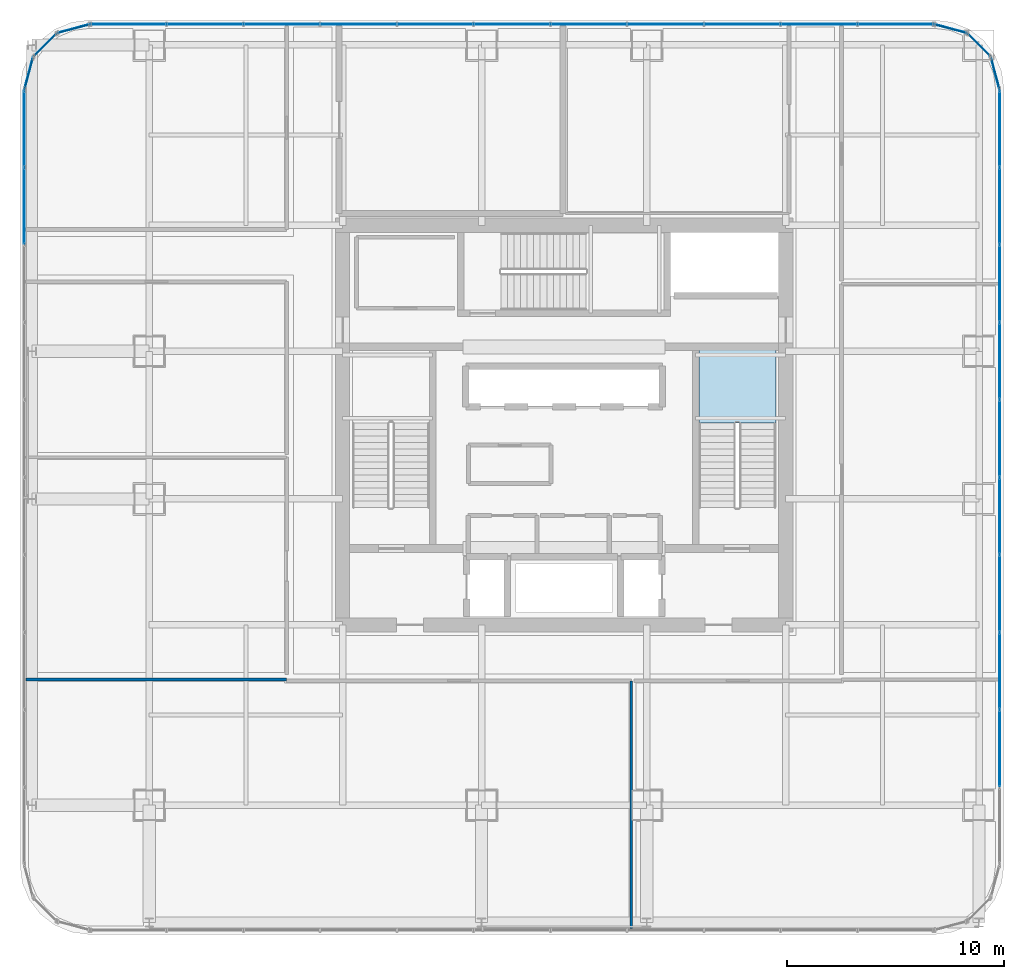
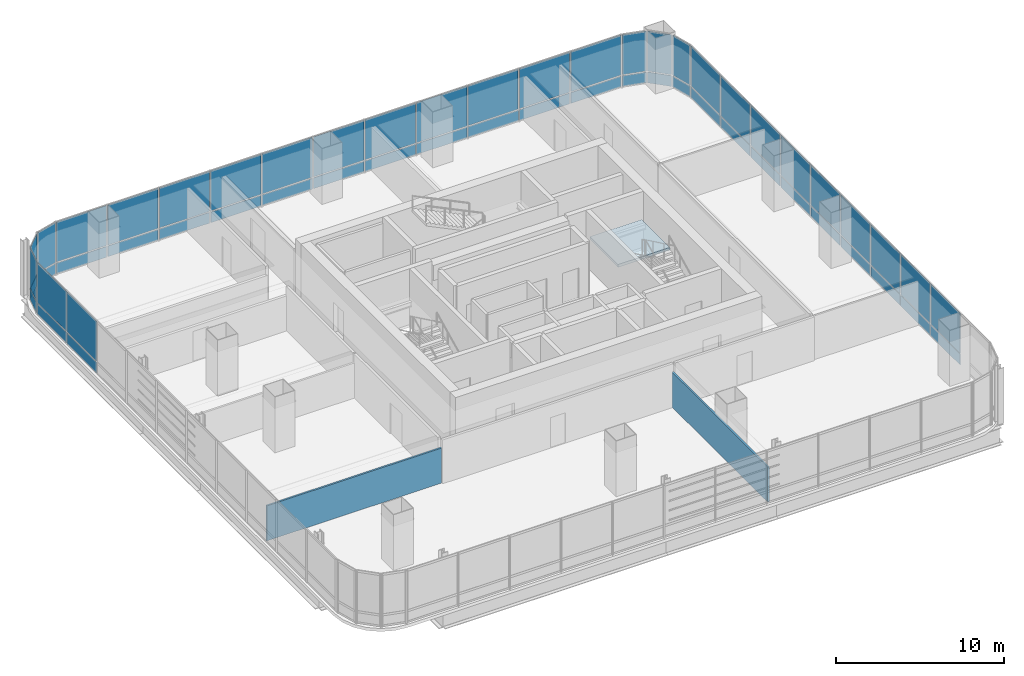
# One storey, part 28 of 36: 56 plates, 2 walls, 1 slab, 10 elements without a shape of their own.
"""IFC4 building model written with IfcOpenShell, lengths in metres."""

from ifc_helpers import new_model, si_unit, direction, frame, frame_2d, origin, origin_2d, place, context, subcontext, project, spatial, polyline, rectangle, outline, extrude, material, layer, layer_set, type_object, element, aggregate, save


model = new_model("IFC4")

# Units and contexts
model_context = context("Model", 3, precision=1e-05, world=origin(), true_north=direction((0.0, 1.0)))
body_context = subcontext(model_context, "Body", "Model", "MODEL_VIEW")
ifc_project = project(units=[si_unit("LENGTHUNIT", "METRE"), si_unit("AREAUNIT", "SQUARE_METRE"), si_unit("VOLUMEUNIT", "CUBIC_METRE"), si_unit("PLANEANGLEUNIT", "RADIAN"), si_unit("MASSUNIT", "GRAM", prefix="KILO")], contexts=[model_context])

# Site, building, storey
site_placement = place(None, origin())
site = spatial("IfcSite", under=ifc_project, at=site_placement, CompositionType="ELEMENT")
building_placement = place(site_placement, origin())
building = spatial("IfcBuilding", under=site, at=building_placement, Name="Punatoya Terracotta Tower", CompositionType="ELEMENT")
storey_placement = place(building_placement, frame((0.0, 0.0, 184.35009765625)))
storey = spatial("IfcBuildingStorey", under=building, at=storey_placement, Name="L43", CompositionType="ELEMENT", Elevation=184.35009765625)

# Curtain wall, plates
ifc_material_1 = material(Name="Aluminium 6063-T6 + Double Low-E Glass", Category="aluminium")
curtain_wall_type = type_object("IfcCurtainWallType", Name="CW-M2", PredefinedType="NOTDEFINED", material=ifc_material_1)
curtain_wall_1_placement = place(storey_placement, origin())
curtain_wall_1 = element("IfcCurtainWall", 1, at=curtain_wall_1_placement, inside=storey, type_object=curtain_wall_type, Name="L43 Curtain Wall CW-L43-E05-1", PredefinedType="NOTDEFINED")
ifc_material_2 = material(Name="Double Low-E Acoustic Vision Glass", Category="glass")
ifc_layer_1 = layer(ifc_material_2, 0.031982421875)
ifc_layer_set_1 = layer_set([ifc_layer_1], Name="Double Low-E Acoustic Vision Glass")
plate_type_1 = type_object("IfcPlateType", Name="PLT-GLZ-32", PredefinedType="CURTAIN_PANEL", material=ifc_layer_set_1)
plate_1_placement = place(storey_placement, frame((20.050048828125, -14.8857421875, 0.889892578125), z_axis=(0.0, 0.0, 1.0), x_axis=(0.0, 1.0, 0.0)))
plate_1 = element("IfcPlate", 2, at=plate_1_placement, type_object=plate_type_1, Name="CW-L43-E05-1 Vision Glass Panel 2", PredefinedType="CURTAIN_PANEL", context=body_context, shape_type="SweptSolid", body=[
    extrude(rectangle(XDim=3.482421875, YDim=0.031982421875, at=origin_2d()), origin(), (0.0, 0.0, 1.0), 2.89990234375),
])
plate_2_placement = place(storey_placement, frame((20.050048828125, -11.318359375, 0.889892578125), z_axis=(0.0, 0.0, 1.0), x_axis=(0.0, 1.0, 0.0)))
plate_2 = element("IfcPlate", 3, at=plate_2_placement, type_object=plate_type_1, Name="CW-L43-E05-1 Vision Glass Panel 3", PredefinedType="CURTAIN_PANEL", context=body_context, shape_type="SweptSolid", body=[
    extrude(rectangle(XDim=3.482421875, YDim=0.031982421875, at=origin_2d()), origin(), (0.0, 0.0, 1.0), 2.89990234375),
])
plate_3_placement = place(storey_placement, frame((20.050048828125, -7.751220703125, 0.889892578125), z_axis=(0.0, 0.0, 1.0), x_axis=(0.0, 1.0, 0.0)))
plate_3 = element("IfcPlate", 4, at=plate_3_placement, type_object=plate_type_1, Name="CW-L43-E05-1 Vision Glass Panel 4", PredefinedType="CURTAIN_PANEL", context=body_context, shape_type="SweptSolid", body=[
    extrude(rectangle(XDim=3.482421875, YDim=0.031982421875, at=origin_2d()), origin(), (0.0, 0.0, 1.0), 2.89990234375),
])
plate_4_placement = place(storey_placement, frame((20.050048828125, -4.18359375, 0.889892578125), z_axis=(0.0, 0.0, 1.0), x_axis=(0.0, 1.0, 0.0)))
plate_4 = element("IfcPlate", 5, at=plate_4_placement, type_object=plate_type_1, Name="CW-L43-E05-1 Vision Glass Panel 5", PredefinedType="CURTAIN_PANEL", context=body_context, shape_type="SweptSolid", body=[
    extrude(rectangle(XDim=3.482421875, YDim=0.031982421875, at=origin_2d()), origin(), (0.0, 0.0, 1.0), 2.89990234375),
])
plate_5_placement = place(storey_placement, frame((20.050048828125, -0.6162109375, 0.889892578125), z_axis=(0.0, 0.0, 1.0), x_axis=(0.0, 1.0, 0.0)))
plate_5 = element("IfcPlate", 6, at=plate_5_placement, type_object=plate_type_1, Name="CW-L43-E05-1 Vision Glass Panel 6", PredefinedType="CURTAIN_PANEL", context=body_context, shape_type="SweptSolid", body=[
    extrude(rectangle(XDim=3.482421875, YDim=0.031982421875, at=origin_2d()), origin(), (0.0, 0.0, 1.0), 2.89990234375),
])
plate_6_placement = place(storey_placement, frame((20.050048828125, 2.951171875, 0.889892578125), z_axis=(0.0, 0.0, 1.0), x_axis=(0.0, 1.0, 0.0)))
plate_6 = element("IfcPlate", 7, at=plate_6_placement, type_object=plate_type_1, Name="CW-L43-E05-1 Vision Glass Panel 7", PredefinedType="CURTAIN_PANEL", context=body_context, shape_type="SweptSolid", body=[
    extrude(rectangle(XDim=3.482421875, YDim=0.031982421875, at=origin_2d()), origin(), (0.0, 0.0, 1.0), 2.89990234375),
])
plate_7_placement = place(storey_placement, frame((20.050048828125, 6.518310546875, 0.889892578125), z_axis=(0.0, 0.0, 1.0), x_axis=(0.0, 1.0, 0.0)))
plate_7 = element("IfcPlate", 8, at=plate_7_placement, type_object=plate_type_1, Name="CW-L43-E05-1 Vision Glass Panel 8", PredefinedType="CURTAIN_PANEL", context=body_context, shape_type="SweptSolid", body=[
    extrude(rectangle(XDim=3.482421875, YDim=0.031982421875, at=origin_2d()), origin(), (0.0, 0.0, 1.0), 2.89990234375),
])
plate_8_placement = place(storey_placement, frame((20.050048828125, 10.085693359375, 0.889892578125), z_axis=(0.0, 0.0, 1.0), x_axis=(0.0, 1.0, 0.0)))
plate_8 = element("IfcPlate", 9, at=plate_8_placement, type_object=plate_type_1, Name="CW-L43-E05-1 Vision Glass Panel 9", PredefinedType="CURTAIN_PANEL", context=body_context, shape_type="SweptSolid", body=[
    extrude(rectangle(XDim=3.482421875, YDim=0.031982421875, at=origin_2d()), origin(), (0.0, 0.0, 1.0), 2.89990234375),
])
plate_9_placement = place(storey_placement, frame((20.050048828125, 13.6533203125, 0.889892578125), z_axis=(0.0, 0.0, 1.0), x_axis=(0.0, 1.0, 0.0)))
plate_9 = element("IfcPlate", 10, at=plate_9_placement, type_object=plate_type_1, Name="CW-L43-E05-1 Vision Glass Panel 10", PredefinedType="CURTAIN_PANEL", context=body_context, shape_type="SweptSolid", body=[
    extrude(rectangle(XDim=3.482421875, YDim=0.031982421875, at=origin_2d()), origin(), (0.0, 0.0, 1.0), 2.89990234375),
])

# Curtain wall, plate
curtain_wall_2_placement = place(storey_placement, origin())
curtain_wall_2 = element("IfcCurtainWall", 11, at=curtain_wall_2_placement, inside=storey, type_object=curtain_wall_type, Name="L43 Curtain Wall CW-L43-CRN06", PredefinedType="NOTDEFINED")
plate_10_placement = place(storey_placement, frame((19.848388671875, 16.193115234375, 0.889892578125), z_axis=(0.0, 0.0, 1.0), x_axis=(-0.257741620719, 0.966213877436, 0.0)))
plate_10 = element("IfcPlate", 12, at=plate_10_placement, type_object=plate_type_1, Name="CW-L43-CRN06 Vision Glass Panel 1", PredefinedType="CURTAIN_PANEL", context=body_context, shape_type="SweptSolid", body=[
    extrude(rectangle(XDim=1.47998046875, YDim=0.031982421875, at=origin_2d()), origin(), (0.0, 0.0, 1.0), 2.89990234375),
])

curtain_wall_3_placement = place(storey_placement, origin())
curtain_wall_3 = element("IfcCurtainWall", 13, at=curtain_wall_3_placement, inside=storey, type_object=curtain_wall_type, Name="L43 Curtain Wall CW-L43-CRN07", PredefinedType="NOTDEFINED")
plate_11_placement = place(storey_placement, frame((19.097900390625, 17.497802734375, 0.889892578125), z_axis=(0.0, 0.0, 1.0), x_axis=(-0.707106781187, 0.707106781187, 0.0)))
plate_11 = element("IfcPlate", 14, at=plate_11_placement, type_object=plate_type_1, Name="CW-L43-CRN07 Vision Glass Panel 1", PredefinedType="CURTAIN_PANEL", context=body_context, shape_type="SweptSolid", body=[
    extrude(rectangle(XDim=1.467041015625, YDim=0.031982421875, at=origin_2d()), origin(), (0.0, 0.0, 1.0), 2.89990234375),
])

curtain_wall_4_placement = place(storey_placement, origin())
curtain_wall_4 = element("IfcCurtainWall", 15, at=curtain_wall_4_placement, inside=storey, type_object=curtain_wall_type, Name="L43 Curtain Wall CW-L43-CRN08", PredefinedType="NOTDEFINED")
plate_12_placement = place(storey_placement, frame((17.79296875, 18.248291015625, 0.889892578125), z_axis=(0.0, 0.0, 1.0), x_axis=(-0.966213877436, 0.257741620719, 0.0)))
plate_12 = element("IfcPlate", 16, at=plate_12_placement, type_object=plate_type_1, Name="CW-L43-CRN08 Vision Glass Panel 1", PredefinedType="CURTAIN_PANEL", context=body_context, shape_type="SweptSolid", body=[
    extrude(rectangle(XDim=1.47998046875, YDim=0.031982421875, at=origin_2d()), origin(), (0.0, 0.0, 1.0), 2.89990234375),
])

# Curtain wall, plates
curtain_wall_5_placement = place(storey_placement, origin())
curtain_wall_5 = element("IfcCurtainWall", 17, at=curtain_wall_5_placement, inside=storey, type_object=curtain_wall_type, Name="L43 Curtain Wall CW-L43-N09-1", PredefinedType="NOTDEFINED")
plate_13_placement = place(storey_placement, frame((15.27001953125, 18.449951171875, 0.889892578125), z_axis=(0.0, 0.0, 1.0), x_axis=(-1.0, 0.0, 0.0)))
plate_13 = element("IfcPlate", 18, at=plate_13_placement, type_object=plate_type_1, Name="CW-L43-N09-1 Vision Glass Panel 1", PredefinedType="CURTAIN_PANEL", context=body_context, shape_type="SweptSolid", body=[
    extrude(rectangle(XDim=3.448974609375, YDim=0.031982421875, at=origin_2d()), origin(), (0.0, 0.0, 1.0), 2.89990234375),
])
plate_14_placement = place(storey_placement, frame((11.73583984375, 18.449951171875, 0.889892578125), z_axis=(0.0, 0.0, 1.0), x_axis=(-1.0, 0.0, 0.0)))
plate_14 = element("IfcPlate", 19, at=plate_14_placement, type_object=plate_type_1, Name="CW-L43-N09-1 Vision Glass Panel 2", PredefinedType="CURTAIN_PANEL", context=body_context, shape_type="SweptSolid", body=[
    extrude(rectangle(XDim=3.448974609375, YDim=0.031982421875, at=origin_2d()), origin(), (0.0, 0.0, 1.0), 2.89990234375),
])
plate_15_placement = place(storey_placement, frame((8.201904296875, 18.449951171875, 0.889892578125), z_axis=(0.0, 0.0, 1.0), x_axis=(-1.0, 0.0, 0.0)))
plate_15 = element("IfcPlate", 20, at=plate_15_placement, type_object=plate_type_1, Name="CW-L43-N09-1 Vision Glass Panel 3", PredefinedType="CURTAIN_PANEL", context=body_context, shape_type="SweptSolid", body=[
    extrude(rectangle(XDim=3.448974609375, YDim=0.031982421875, at=origin_2d()), origin(), (0.0, 0.0, 1.0), 2.89990234375),
])
plate_16_placement = place(storey_placement, frame((4.66796875, 18.449951171875, 0.889892578125), z_axis=(0.0, 0.0, 1.0), x_axis=(-1.0, 0.0, 0.0)))
plate_16 = element("IfcPlate", 21, at=plate_16_placement, type_object=plate_type_1, Name="CW-L43-N09-1 Vision Glass Panel 4", PredefinedType="CURTAIN_PANEL", context=body_context, shape_type="SweptSolid", body=[
    extrude(rectangle(XDim=3.448974609375, YDim=0.031982421875, at=origin_2d()), origin(), (0.0, 0.0, 1.0), 2.89990234375),
])
plate_17_placement = place(storey_placement, frame((1.134033203125, 18.449951171875, 0.889892578125), z_axis=(0.0, 0.0, 1.0), x_axis=(-1.0, 0.0, 0.0)))
plate_17 = element("IfcPlate", 22, at=plate_17_placement, type_object=plate_type_1, Name="CW-L43-N09-1 Vision Glass Panel 5", PredefinedType="CURTAIN_PANEL", context=body_context, shape_type="SweptSolid", body=[
    extrude(rectangle(XDim=3.448974609375, YDim=0.031982421875, at=origin_2d()), origin(), (0.0, 0.0, 1.0), 2.89990234375),
])
plate_18_placement = place(storey_placement, frame((-2.39990234375, 18.449951171875, 0.889892578125), z_axis=(0.0, 0.0, 1.0), x_axis=(-1.0, 0.0, 0.0)))
plate_18 = element("IfcPlate", 23, at=plate_18_placement, type_object=plate_type_1, Name="CW-L43-N09-1 Vision Glass Panel 6", PredefinedType="CURTAIN_PANEL", context=body_context, shape_type="SweptSolid", body=[
    extrude(rectangle(XDim=3.448974609375, YDim=0.031982421875, at=origin_2d()), origin(), (0.0, 0.0, 1.0), 2.89990234375),
])
plate_19_placement = place(storey_placement, frame((-5.93408203125, 18.449951171875, 0.889892578125), z_axis=(0.0, 0.0, 1.0), x_axis=(-1.0, 0.0, 0.0)))
plate_19 = element("IfcPlate", 24, at=plate_19_placement, type_object=plate_type_1, Name="CW-L43-N09-1 Vision Glass Panel 7", PredefinedType="CURTAIN_PANEL", context=body_context, shape_type="SweptSolid", body=[
    extrude(rectangle(XDim=3.448974609375, YDim=0.031982421875, at=origin_2d()), origin(), (0.0, 0.0, 1.0), 2.89990234375),
])
plate_20_placement = place(storey_placement, frame((-9.468017578125, 18.449951171875, 0.889892578125), z_axis=(0.0, 0.0, 1.0), x_axis=(-1.0, 0.0, 0.0)))
plate_20 = element("IfcPlate", 25, at=plate_20_placement, type_object=plate_type_1, Name="CW-L43-N09-1 Vision Glass Panel 8", PredefinedType="CURTAIN_PANEL", context=body_context, shape_type="SweptSolid", body=[
    extrude(rectangle(XDim=3.448974609375, YDim=0.031982421875, at=origin_2d()), origin(), (0.0, 0.0, 1.0), 2.89990234375),
])
plate_21_placement = place(storey_placement, frame((-13.001953125, 18.449951171875, 0.889892578125), z_axis=(0.0, 0.0, 1.0), x_axis=(-1.0, 0.0, 0.0)))
plate_21 = element("IfcPlate", 26, at=plate_21_placement, type_object=plate_type_1, Name="CW-L43-N09-1 Vision Glass Panel 9", PredefinedType="CURTAIN_PANEL", context=body_context, shape_type="SweptSolid", body=[
    extrude(rectangle(XDim=3.448974609375, YDim=0.031982421875, at=origin_2d()), origin(), (0.0, 0.0, 1.0), 2.89990234375),
])
plate_22_placement = place(storey_placement, frame((-16.535888671875, 18.449951171875, 0.889892578125), z_axis=(0.0, 0.0, 1.0), x_axis=(-1.0, 0.0, 0.0)))
plate_22 = element("IfcPlate", 27, at=plate_22_placement, type_object=plate_type_1, Name="CW-L43-N09-1 Vision Glass Panel 10", PredefinedType="CURTAIN_PANEL", context=body_context, shape_type="SweptSolid", body=[
    extrude(rectangle(XDim=3.448974609375, YDim=0.031982421875, at=origin_2d()), origin(), (0.0, 0.0, 1.0), 2.89990234375),
])
plate_23_placement = place(storey_placement, frame((-20.06982421875, 18.449951171875, 0.889892578125), z_axis=(0.0, 0.0, 1.0), x_axis=(-1.0, 0.0, 0.0)))
plate_23 = element("IfcPlate", 28, at=plate_23_placement, type_object=plate_type_1, Name="CW-L43-N09-1 Vision Glass Panel 11", PredefinedType="CURTAIN_PANEL", context=body_context, shape_type="SweptSolid", body=[
    extrude(rectangle(XDim=3.448974609375, YDim=0.031982421875, at=origin_2d()), origin(), (0.0, 0.0, 1.0), 2.89990234375),
])

# Curtain wall, plate
curtain_wall_6_placement = place(storey_placement, origin())
curtain_wall_6 = element("IfcCurtainWall", 29, at=curtain_wall_6_placement, inside=storey, type_object=curtain_wall_type, Name="L43 Curtain Wall CW-L43-CRN10", PredefinedType="NOTDEFINED")
plate_24_placement = place(storey_placement, frame((-22.593017578125, 18.248291015625, 0.889892578125), z_axis=(0.0, 0.0, 1.0), x_axis=(-0.966213877436, -0.257741620719, 0.0)))
plate_24 = element("IfcPlate", 30, at=plate_24_placement, type_object=plate_type_1, Name="CW-L43-CRN10 Vision Glass Panel 1", PredefinedType="CURTAIN_PANEL", context=body_context, shape_type="SweptSolid", body=[
    extrude(rectangle(XDim=1.47998046875, YDim=0.031982421875, at=origin_2d()), origin(), (0.0, 0.0, 1.0), 2.89990234375),
])

curtain_wall_7_placement = place(storey_placement, origin())
curtain_wall_7 = element("IfcCurtainWall", 31, at=curtain_wall_7_placement, inside=storey, type_object=curtain_wall_type, Name="L43 Curtain Wall CW-L43-CRN11", PredefinedType="NOTDEFINED")
plate_25_placement = place(storey_placement, frame((-23.89794921875, 17.497802734375, 0.889892578125), z_axis=(0.0, 0.0, 1.0), x_axis=(-0.707106781187, -0.707106781187, 0.0)))
plate_25 = element("IfcPlate", 32, at=plate_25_placement, type_object=plate_type_1, Name="CW-L43-CRN11 Vision Glass Panel 1", PredefinedType="CURTAIN_PANEL", context=body_context, shape_type="SweptSolid", body=[
    extrude(rectangle(XDim=1.467041015625, YDim=0.031982421875, at=origin_2d()), origin(), (0.0, 0.0, 1.0), 2.89990234375),
])

curtain_wall_8_placement = place(storey_placement, origin())
curtain_wall_8 = element("IfcCurtainWall", 33, at=curtain_wall_8_placement, inside=storey, type_object=curtain_wall_type, Name="L43 Curtain Wall CW-L43-CRN12", PredefinedType="NOTDEFINED")
plate_26_placement = place(storey_placement, frame((-24.648193359375, 16.193115234375, 0.889892578125), z_axis=(0.0, 0.0, 1.0), x_axis=(-0.257741620719, -0.966213877436, 0.0)))
plate_26 = element("IfcPlate", 34, at=plate_26_placement, type_object=plate_type_1, Name="CW-L43-CRN12 Vision Glass Panel 1", PredefinedType="CURTAIN_PANEL", context=body_context, shape_type="SweptSolid", body=[
    extrude(rectangle(XDim=1.47998046875, YDim=0.031982421875, at=origin_2d()), origin(), (0.0, 0.0, 1.0), 2.89990234375),
])

# Curtain wall, plates
curtain_wall_9_placement = place(storey_placement, origin())
curtain_wall_9 = element("IfcCurtainWall", 35, at=curtain_wall_9_placement, inside=storey, type_object=curtain_wall_type, Name="L43 Curtain Wall CW-L43-W13-1", PredefinedType="NOTDEFINED")
plate_27_placement = place(storey_placement, frame((-24.85009765625, 13.6533203125, 0.889892578125), z_axis=(0.0, 0.0, 1.0), x_axis=(0.0, -1.0, 0.0)))
plate_27 = element("IfcPlate", 36, at=plate_27_placement, type_object=plate_type_1, Name="CW-L43-W13-1 Vision Glass Panel 1", PredefinedType="CURTAIN_PANEL", context=body_context, shape_type="SweptSolid", body=[
    extrude(rectangle(XDim=3.482421875, YDim=0.031982421875, at=origin_2d()), origin(), (0.0, 0.0, 1.0), 2.89990234375),
])
plate_28_placement = place(storey_placement, frame((-24.85009765625, 10.085693359375, 0.889892578125), z_axis=(0.0, 0.0, 1.0), x_axis=(0.0, -1.0, 0.0)))
plate_28 = element("IfcPlate", 37, at=plate_28_placement, type_object=plate_type_1, Name="CW-L43-W13-1 Vision Glass Panel 2", PredefinedType="CURTAIN_PANEL", context=body_context, shape_type="SweptSolid", body=[
    extrude(rectangle(XDim=3.482421875, YDim=0.031982421875, at=origin_2d()), origin(), (0.0, 0.0, 1.0), 2.89990234375),
])

# Plate
ifc_material_3 = material(Name="Insulated Terracotta-Backed Spandrel Panel", Category="masonry")
ifc_layer_2 = layer(ifc_material_3, 0.044921875)
ifc_layer_set_2 = layer_set([ifc_layer_2], Name="Insulated Terracotta-Backed Spandrel Panel")
plate_type_2 = type_object("IfcPlateType", Name="PLT-SPN-45", PredefinedType="CURTAIN_PANEL", material=ifc_layer_set_2)
plate_29_placement = place(storey_placement, frame((20.050048828125, -14.8857421875, 0.0400390625), z_axis=(0.0, 0.0, 1.0), x_axis=(0.0, 1.0, 0.0)))
plate_29 = element("IfcPlate", 38, at=plate_29_placement, type_object=plate_type_2, Name="CW-L43-E05-1 Terracotta Spandrel Panel 2", PredefinedType="CURTAIN_PANEL", context=body_context, shape_type="SweptSolid", body=[
    extrude(rectangle(XDim=3.482421875, YDim=0.044921875, at=origin_2d()), origin(), (0.0, 0.0, 1.0), 0.77490234375),
])

plate_30_placement = place(storey_placement, frame((20.050048828125, -11.318359375, 0.0400390625), z_axis=(0.0, 0.0, 1.0), x_axis=(0.0, 1.0, 0.0)))
plate_30 = element("IfcPlate", 39, at=plate_30_placement, type_object=plate_type_2, Name="CW-L43-E05-1 Terracotta Spandrel Panel 3", PredefinedType="CURTAIN_PANEL", context=body_context, shape_type="SweptSolid", body=[
    extrude(rectangle(XDim=3.482421875, YDim=0.044921875, at=origin_2d()), origin(), (0.0, 0.0, 1.0), 0.77490234375),
])

plate_31_placement = place(storey_placement, frame((20.050048828125, -7.751220703125, 0.0400390625), z_axis=(0.0, 0.0, 1.0), x_axis=(0.0, 1.0, 0.0)))
plate_31 = element("IfcPlate", 40, at=plate_31_placement, type_object=plate_type_2, Name="CW-L43-E05-1 Terracotta Spandrel Panel 4", PredefinedType="CURTAIN_PANEL", context=body_context, shape_type="SweptSolid", body=[
    extrude(rectangle(XDim=3.482421875, YDim=0.044921875, at=origin_2d()), origin(), (0.0, 0.0, 1.0), 0.77490234375),
])

plate_32_placement = place(storey_placement, frame((20.050048828125, -4.18359375, 0.0400390625), z_axis=(0.0, 0.0, 1.0), x_axis=(0.0, 1.0, 0.0)))
plate_32 = element("IfcPlate", 41, at=plate_32_placement, type_object=plate_type_2, Name="CW-L43-E05-1 Terracotta Spandrel Panel 5", PredefinedType="CURTAIN_PANEL", context=body_context, shape_type="SweptSolid", body=[
    extrude(rectangle(XDim=3.482421875, YDim=0.044921875, at=origin_2d()), origin(), (0.0, 0.0, 1.0), 0.77490234375),
])

plate_33_placement = place(storey_placement, frame((20.050048828125, -0.6162109375, 0.0400390625), z_axis=(0.0, 0.0, 1.0), x_axis=(0.0, 1.0, 0.0)))
plate_33 = element("IfcPlate", 42, at=plate_33_placement, type_object=plate_type_2, Name="CW-L43-E05-1 Terracotta Spandrel Panel 6", PredefinedType="CURTAIN_PANEL", context=body_context, shape_type="SweptSolid", body=[
    extrude(rectangle(XDim=3.482421875, YDim=0.044921875, at=origin_2d()), origin(), (0.0, 0.0, 1.0), 0.77490234375),
])

plate_34_placement = place(storey_placement, frame((20.050048828125, 2.951171875, 0.0400390625), z_axis=(0.0, 0.0, 1.0), x_axis=(0.0, 1.0, 0.0)))
plate_34 = element("IfcPlate", 43, at=plate_34_placement, type_object=plate_type_2, Name="CW-L43-E05-1 Terracotta Spandrel Panel 7", PredefinedType="CURTAIN_PANEL", context=body_context, shape_type="SweptSolid", body=[
    extrude(rectangle(XDim=3.482421875, YDim=0.044921875, at=origin_2d()), origin(), (0.0, 0.0, 1.0), 0.77490234375),
])

plate_35_placement = place(storey_placement, frame((20.050048828125, 6.518310546875, 0.0400390625), z_axis=(0.0, 0.0, 1.0), x_axis=(0.0, 1.0, 0.0)))
plate_35 = element("IfcPlate", 44, at=plate_35_placement, type_object=plate_type_2, Name="CW-L43-E05-1 Terracotta Spandrel Panel 8", PredefinedType="CURTAIN_PANEL", context=body_context, shape_type="SweptSolid", body=[
    extrude(rectangle(XDim=3.482421875, YDim=0.044921875, at=origin_2d()), origin(), (0.0, 0.0, 1.0), 0.77490234375),
])

plate_36_placement = place(storey_placement, frame((20.050048828125, 10.085693359375, 0.0400390625), z_axis=(0.0, 0.0, 1.0), x_axis=(0.0, 1.0, 0.0)))
plate_36 = element("IfcPlate", 45, at=plate_36_placement, type_object=plate_type_2, Name="CW-L43-E05-1 Terracotta Spandrel Panel 9", PredefinedType="CURTAIN_PANEL", context=body_context, shape_type="SweptSolid", body=[
    extrude(rectangle(XDim=3.482421875, YDim=0.044921875, at=origin_2d()), origin(), (0.0, 0.0, 1.0), 0.77490234375),
])

plate_37_placement = place(storey_placement, frame((20.050048828125, 13.6533203125, 0.0400390625), z_axis=(0.0, 0.0, 1.0), x_axis=(0.0, 1.0, 0.0)))
plate_37 = element("IfcPlate", 46, at=plate_37_placement, type_object=plate_type_2, Name="CW-L43-E05-1 Terracotta Spandrel Panel 10", PredefinedType="CURTAIN_PANEL", context=body_context, shape_type="SweptSolid", body=[
    extrude(rectangle(XDim=3.482421875, YDim=0.044921875, at=origin_2d()), origin(), (0.0, 0.0, 1.0), 0.77490234375),
])

aggregate(curtain_wall_1, [plate_29, plate_1, plate_30, plate_2, plate_31, plate_3, plate_32, plate_4, plate_33, plate_5, plate_34, plate_6, plate_35, plate_7, plate_36, plate_8, plate_37, plate_9])

plate_38_placement = place(storey_placement, frame((19.848388671875, 16.193115234375, 0.0400390625), z_axis=(0.0, 0.0, 1.0), x_axis=(-0.257741620719, 0.966213877436, 0.0)))
plate_38 = element("IfcPlate", 47, at=plate_38_placement, type_object=plate_type_2, Name="CW-L43-CRN06 Terracotta Spandrel Panel 1", PredefinedType="CURTAIN_PANEL", context=body_context, shape_type="SweptSolid", body=[
    extrude(rectangle(XDim=1.47998046875, YDim=0.044921875, at=origin_2d()), origin(), (0.0, 0.0, 1.0), 0.77490234375),
])

aggregate(curtain_wall_2, [plate_38, plate_10])

plate_39_placement = place(storey_placement, frame((19.097900390625, 17.497802734375, 0.0400390625), z_axis=(0.0, 0.0, 1.0), x_axis=(-0.707106781187, 0.707106781187, 0.0)))
plate_39 = element("IfcPlate", 48, at=plate_39_placement, type_object=plate_type_2, Name="CW-L43-CRN07 Terracotta Spandrel Panel 1", PredefinedType="CURTAIN_PANEL", context=body_context, shape_type="SweptSolid", body=[
    extrude(rectangle(XDim=1.467041015625, YDim=0.044921875, at=origin_2d()), origin(), (0.0, 0.0, 1.0), 0.77490234375),
])

aggregate(curtain_wall_3, [plate_39, plate_11])

plate_40_placement = place(storey_placement, frame((17.79296875, 18.248291015625, 0.0400390625), z_axis=(0.0, 0.0, 1.0), x_axis=(-0.966213877436, 0.257741620719, 0.0)))
plate_40 = element("IfcPlate", 49, at=plate_40_placement, type_object=plate_type_2, Name="CW-L43-CRN08 Terracotta Spandrel Panel 1", PredefinedType="CURTAIN_PANEL", context=body_context, shape_type="SweptSolid", body=[
    extrude(rectangle(XDim=1.47998046875, YDim=0.044921875, at=origin_2d()), origin(), (0.0, 0.0, 1.0), 0.77490234375),
])

aggregate(curtain_wall_4, [plate_40, plate_12])

plate_41_placement = place(storey_placement, frame((15.27001953125, 18.449951171875, 0.0400390625), z_axis=(0.0, 0.0, 1.0), x_axis=(-1.0, 0.0, 0.0)))
plate_41 = element("IfcPlate", 50, at=plate_41_placement, type_object=plate_type_2, Name="CW-L43-N09-1 Terracotta Spandrel Panel 1", PredefinedType="CURTAIN_PANEL", context=body_context, shape_type="SweptSolid", body=[
    extrude(rectangle(XDim=3.448974609375, YDim=0.044921875, at=origin_2d()), origin(), (0.0, 0.0, 1.0), 0.77490234375),
])

plate_42_placement = place(storey_placement, frame((11.73583984375, 18.449951171875, 0.0400390625), z_axis=(0.0, 0.0, 1.0), x_axis=(-1.0, 0.0, 0.0)))
plate_42 = element("IfcPlate", 51, at=plate_42_placement, type_object=plate_type_2, Name="CW-L43-N09-1 Terracotta Spandrel Panel 2", PredefinedType="CURTAIN_PANEL", context=body_context, shape_type="SweptSolid", body=[
    extrude(rectangle(XDim=3.448974609375, YDim=0.044921875, at=origin_2d()), origin(), (0.0, 0.0, 1.0), 0.77490234375),
])

plate_43_placement = place(storey_placement, frame((8.201904296875, 18.449951171875, 0.0400390625), z_axis=(0.0, 0.0, 1.0), x_axis=(-1.0, 0.0, 0.0)))
plate_43 = element("IfcPlate", 52, at=plate_43_placement, type_object=plate_type_2, Name="CW-L43-N09-1 Terracotta Spandrel Panel 3", PredefinedType="CURTAIN_PANEL", context=body_context, shape_type="SweptSolid", body=[
    extrude(rectangle(XDim=3.448974609375, YDim=0.044921875, at=origin_2d()), origin(), (0.0, 0.0, 1.0), 0.77490234375),
])

plate_44_placement = place(storey_placement, frame((4.66796875, 18.449951171875, 0.0400390625), z_axis=(0.0, 0.0, 1.0), x_axis=(-1.0, 0.0, 0.0)))
plate_44 = element("IfcPlate", 53, at=plate_44_placement, type_object=plate_type_2, Name="CW-L43-N09-1 Terracotta Spandrel Panel 4", PredefinedType="CURTAIN_PANEL", context=body_context, shape_type="SweptSolid", body=[
    extrude(rectangle(XDim=3.448974609375, YDim=0.044921875, at=origin_2d()), origin(), (0.0, 0.0, 1.0), 0.77490234375),
])

plate_45_placement = place(storey_placement, frame((1.134033203125, 18.449951171875, 0.0400390625), z_axis=(0.0, 0.0, 1.0), x_axis=(-1.0, 0.0, 0.0)))
plate_45 = element("IfcPlate", 54, at=plate_45_placement, type_object=plate_type_2, Name="CW-L43-N09-1 Terracotta Spandrel Panel 5", PredefinedType="CURTAIN_PANEL", context=body_context, shape_type="SweptSolid", body=[
    extrude(rectangle(XDim=3.448974609375, YDim=0.044921875, at=origin_2d()), origin(), (0.0, 0.0, 1.0), 0.77490234375),
])

plate_46_placement = place(storey_placement, frame((-2.39990234375, 18.449951171875, 0.0400390625), z_axis=(0.0, 0.0, 1.0), x_axis=(-1.0, 0.0, 0.0)))
plate_46 = element("IfcPlate", 55, at=plate_46_placement, type_object=plate_type_2, Name="CW-L43-N09-1 Terracotta Spandrel Panel 6", PredefinedType="CURTAIN_PANEL", context=body_context, shape_type="SweptSolid", body=[
    extrude(rectangle(XDim=3.448974609375, YDim=0.044921875, at=origin_2d()), origin(), (0.0, 0.0, 1.0), 0.77490234375),
])

plate_47_placement = place(storey_placement, frame((-5.93408203125, 18.449951171875, 0.0400390625), z_axis=(0.0, 0.0, 1.0), x_axis=(-1.0, 0.0, 0.0)))
plate_47 = element("IfcPlate", 56, at=plate_47_placement, type_object=plate_type_2, Name="CW-L43-N09-1 Terracotta Spandrel Panel 7", PredefinedType="CURTAIN_PANEL", context=body_context, shape_type="SweptSolid", body=[
    extrude(rectangle(XDim=3.448974609375, YDim=0.044921875, at=origin_2d()), origin(), (0.0, 0.0, 1.0), 0.77490234375),
])

plate_48_placement = place(storey_placement, frame((-9.468017578125, 18.449951171875, 0.0400390625), z_axis=(0.0, 0.0, 1.0), x_axis=(-1.0, 0.0, 0.0)))
plate_48 = element("IfcPlate", 57, at=plate_48_placement, type_object=plate_type_2, Name="CW-L43-N09-1 Terracotta Spandrel Panel 8", PredefinedType="CURTAIN_PANEL", context=body_context, shape_type="SweptSolid", body=[
    extrude(rectangle(XDim=3.448974609375, YDim=0.044921875, at=origin_2d()), origin(), (0.0, 0.0, 1.0), 0.77490234375),
])

plate_49_placement = place(storey_placement, frame((-13.001953125, 18.449951171875, 0.0400390625), z_axis=(0.0, 0.0, 1.0), x_axis=(-1.0, 0.0, 0.0)))
plate_49 = element("IfcPlate", 58, at=plate_49_placement, type_object=plate_type_2, Name="CW-L43-N09-1 Terracotta Spandrel Panel 9", PredefinedType="CURTAIN_PANEL", context=body_context, shape_type="SweptSolid", body=[
    extrude(rectangle(XDim=3.448974609375, YDim=0.044921875, at=origin_2d()), origin(), (0.0, 0.0, 1.0), 0.77490234375),
])

plate_50_placement = place(storey_placement, frame((-16.535888671875, 18.449951171875, 0.0400390625), z_axis=(0.0, 0.0, 1.0), x_axis=(-1.0, 0.0, 0.0)))
plate_50 = element("IfcPlate", 59, at=plate_50_placement, type_object=plate_type_2, Name="CW-L43-N09-1 Terracotta Spandrel Panel 10", PredefinedType="CURTAIN_PANEL", context=body_context, shape_type="SweptSolid", body=[
    extrude(rectangle(XDim=3.448974609375, YDim=0.044921875, at=origin_2d()), origin(), (0.0, 0.0, 1.0), 0.77490234375),
])

plate_51_placement = place(storey_placement, frame((-20.06982421875, 18.449951171875, 0.0400390625), z_axis=(0.0, 0.0, 1.0), x_axis=(-1.0, 0.0, 0.0)))
plate_51 = element("IfcPlate", 60, at=plate_51_placement, type_object=plate_type_2, Name="CW-L43-N09-1 Terracotta Spandrel Panel 11", PredefinedType="CURTAIN_PANEL", context=body_context, shape_type="SweptSolid", body=[
    extrude(rectangle(XDim=3.448974609375, YDim=0.044921875, at=origin_2d()), origin(), (0.0, 0.0, 1.0), 0.77490234375),
])

aggregate(curtain_wall_5, [plate_41, plate_13, plate_42, plate_14, plate_43, plate_15, plate_44, plate_16, plate_45, plate_17, plate_46, plate_18, plate_47, plate_19, plate_48, plate_20, plate_49, plate_21, plate_50, plate_22, plate_51, plate_23])

plate_52_placement = place(storey_placement, frame((-22.593017578125, 18.248291015625, 0.0400390625), z_axis=(0.0, 0.0, 1.0), x_axis=(-0.966213877436, -0.257741620719, 0.0)))
plate_52 = element("IfcPlate", 61, at=plate_52_placement, type_object=plate_type_2, Name="CW-L43-CRN10 Terracotta Spandrel Panel 1", PredefinedType="CURTAIN_PANEL", context=body_context, shape_type="SweptSolid", body=[
    extrude(rectangle(XDim=1.47998046875, YDim=0.044921875, at=origin_2d()), origin(), (0.0, 0.0, 1.0), 0.77490234375),
])

aggregate(curtain_wall_6, [plate_52, plate_24])

plate_53_placement = place(storey_placement, frame((-23.89794921875, 17.497802734375, 0.0400390625), z_axis=(0.0, 0.0, 1.0), x_axis=(-0.707106781187, -0.707106781187, 0.0)))
plate_53 = element("IfcPlate", 62, at=plate_53_placement, type_object=plate_type_2, Name="CW-L43-CRN11 Terracotta Spandrel Panel 1", PredefinedType="CURTAIN_PANEL", context=body_context, shape_type="SweptSolid", body=[
    extrude(rectangle(XDim=1.467041015625, YDim=0.044921875, at=origin_2d()), origin(), (0.0, 0.0, 1.0), 0.77490234375),
])

aggregate(curtain_wall_7, [plate_53, plate_25])

plate_54_placement = place(storey_placement, frame((-24.648193359375, 16.193115234375, 0.0400390625), z_axis=(0.0, 0.0, 1.0), x_axis=(-0.257741620719, -0.966213877436, 0.0)))
plate_54 = element("IfcPlate", 63, at=plate_54_placement, type_object=plate_type_2, Name="CW-L43-CRN12 Terracotta Spandrel Panel 1", PredefinedType="CURTAIN_PANEL", context=body_context, shape_type="SweptSolid", body=[
    extrude(rectangle(XDim=1.47998046875, YDim=0.044921875, at=origin_2d()), origin(), (0.0, 0.0, 1.0), 0.77490234375),
])

aggregate(curtain_wall_8, [plate_54, plate_26])

plate_55_placement = place(storey_placement, frame((-24.85009765625, 13.6533203125, 0.0400390625), z_axis=(0.0, 0.0, 1.0), x_axis=(0.0, -1.0, 0.0)))
plate_55 = element("IfcPlate", 64, at=plate_55_placement, type_object=plate_type_2, Name="CW-L43-W13-1 Terracotta Spandrel Panel 1", PredefinedType="CURTAIN_PANEL", context=body_context, shape_type="SweptSolid", body=[
    extrude(rectangle(XDim=3.482421875, YDim=0.044921875, at=origin_2d()), origin(), (0.0, 0.0, 1.0), 0.77490234375),
])

plate_56_placement = place(storey_placement, frame((-24.85009765625, 10.085693359375, 0.0400390625), z_axis=(0.0, 0.0, 1.0), x_axis=(0.0, -1.0, 0.0)))
plate_56 = element("IfcPlate", 65, at=plate_56_placement, type_object=plate_type_2, Name="CW-L43-W13-1 Terracotta Spandrel Panel 2", PredefinedType="CURTAIN_PANEL", context=body_context, shape_type="SweptSolid", body=[
    extrude(rectangle(XDim=3.482421875, YDim=0.044921875, at=origin_2d()), origin(), (0.0, 0.0, 1.0), 0.77490234375),
])

aggregate(curtain_wall_9, [plate_55, plate_27, plate_56, plate_28])

# Stair, slab
ifc_material_4 = material(Name="Concrete C40/50", Category="concrete")
stair_type = type_object("IfcStairType", Name="STR-LOB-1650", PredefinedType="HALF_TURN_STAIR", material=ifc_material_4)
stair_placement = place(storey_placement, origin())
stair = element("IfcStair", 66, at=stair_placement, inside=storey, type_object=stair_type, Name="L43 Protected Core Exit Stair ST-2", PredefinedType="HALF_TURN_STAIR")
ifc_layer_3 = layer(ifc_material_4, 0.179931640625)
ifc_layer_set_3 = layer_set([ifc_layer_3], Name="Concrete C40/50")
slab_type = type_object("IfcSlabType", Name="SLB-LND-180", PredefinedType="LANDING", material=ifc_layer_set_3)
slab_placement = place(storey_placement, frame((0.0, 0.0, 1.824951171875)))
slab = element("IfcSlab", 67, at=slab_placement, type_object=slab_type, Name="ST-2 landing 1", PredefinedType="LANDING", context=body_context, shape_type="SweptSolid", body=[
    extrude(outline(polyline([(9.75, 0.10009765625), (9.75, 3.449951171875), (6.199951171875, 3.449951171875), (6.199951171875, 0.10009765625), (9.75, 0.10009765625)])), origin(), (0.0, 0.0, 1.0), 0.199951171875),
])
aggregate(stair, [slab])

# Walls
ifc_material_5 = material(Name="Gypsum Partition + Steel Stud", Category="steel")
ifc_layer_4 = layer(ifc_material_5, 0.1201171875)
ifc_layer_set_4 = layer_set([ifc_layer_4], Name="Gypsum Partition + Steel Stud")
wall_type = type_object("IfcWallType", Name="WL-OFF-120", PredefinedType="PARTITIONING", material=ifc_layer_set_4)
wall_1_placement = place(storey_placement, frame((-24.77001953125, -11.7099609375, 0.0), z_axis=(0.0, 0.0, 1.0), x_axis=(1.0, 0.0, 0.0)))
element("IfcWall", 68, at=wall_1_placement, inside=storey, type_object=wall_type, Name="L43 Staff Wellness Studio Partition 15", PredefinedType="PARTITIONING", context=body_context, shape_type="SweptSolid", body=[
    extrude(rectangle(XDim=12.0, YDim=0.1201171875, at=frame_2d((6.0, 0.0))), origin(), (0.0, 0.0, 1.0), 2.5439453125),
])
wall_2_placement = place(storey_placement, frame((3.095947265625, -11.77001953125, 0.0), z_axis=(0.0, 0.0, 1.0), x_axis=(0.0, -1.0, 0.0)))
element("IfcWall", 69, at=wall_2_placement, inside=storey, type_object=wall_type, Name="L43 Staff Wellness Studio Partition 17", PredefinedType="PARTITIONING", context=body_context, shape_type="SweptSolid", body=[
    extrude(rectangle(XDim=11.39990234375, YDim=0.1201171875, at=frame_2d((5.699951171875, 0.0))), origin(), (0.0, 0.0, 1.0), 2.5439453125),
])

save(model, "model.ifc")
